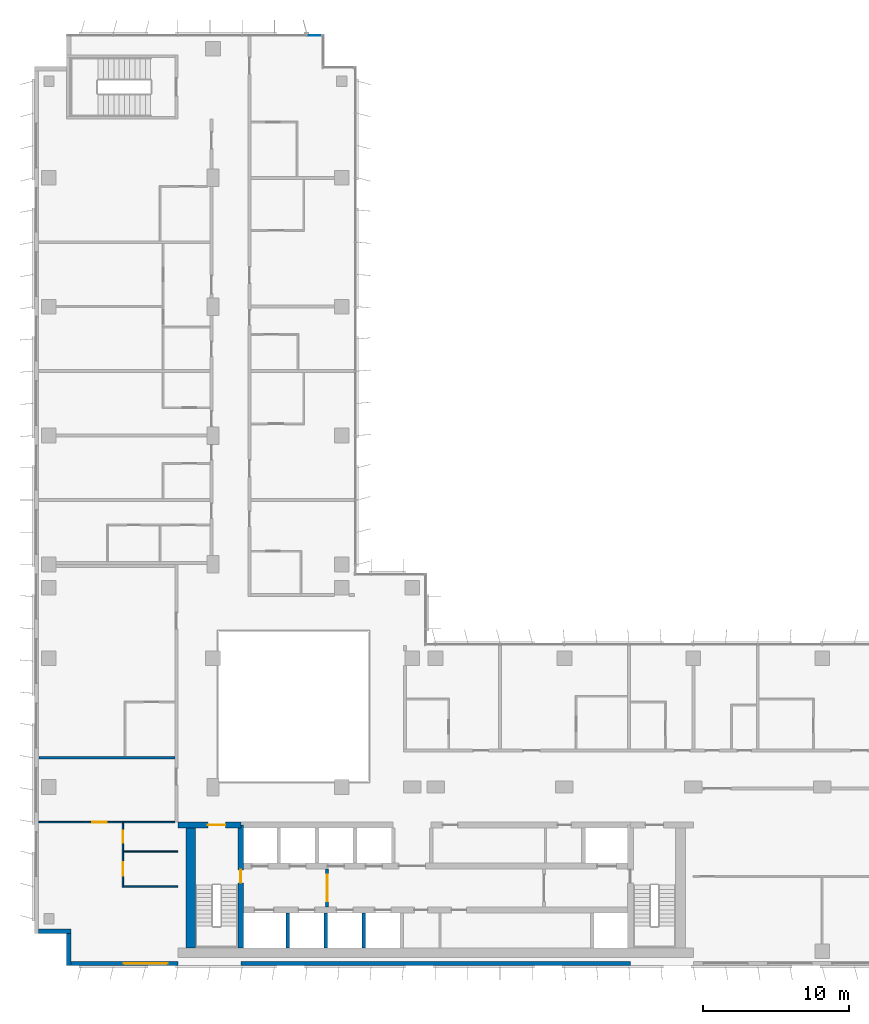
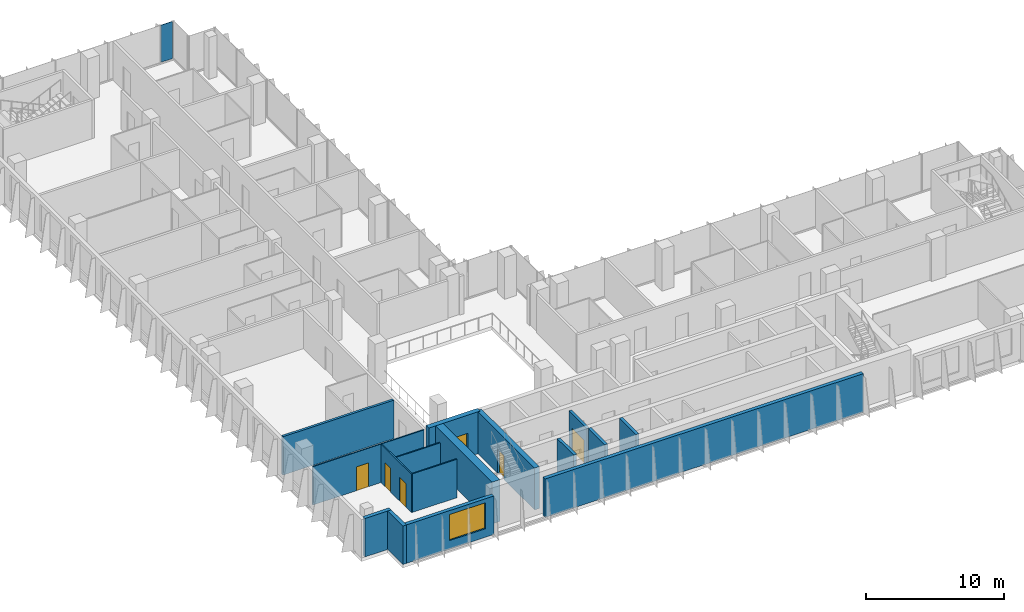
# One storey, part 12 of 21: 16 walls, 6 doors, 1 plate, 1 window, 7 openings, 1 element without a shape of its own.
"""IFC4 building model written with IfcOpenShell, lengths in metres."""

from ifc_helpers import new_model, si_unit, direction, frame, frame_2d, origin, origin_2d, place, context, subcontext, project, spatial, rectangle, extrude, source, transform, mapped, material, layer, layer_set, type_object, element, fill, aggregate, save


model = new_model("IFC4")

# Units and contexts
model_context = context("Model", 3, precision=1e-05, world=origin(), true_north=direction((0.0, 1.0)))
body_context = subcontext(model_context, "Body", "Model", "MODEL_VIEW")
ifc_project = project(units=[si_unit("LENGTHUNIT", "METRE"), si_unit("AREAUNIT", "SQUARE_METRE"), si_unit("VOLUMEUNIT", "CUBIC_METRE"), si_unit("PLANEANGLEUNIT", "RADIAN"), si_unit("MASSUNIT", "GRAM", prefix="KILO")], contexts=[model_context])

# Site, building, storey
site_placement = place(None, origin())
site = spatial("IfcSite", under=ifc_project, at=site_placement, CompositionType="ELEMENT")
building_placement = place(site_placement, origin())
building = spatial("IfcBuilding", under=site, at=building_placement, Name="Kemantara Hotel Tower", CompositionType="ELEMENT")
storey_placement = place(building_placement, frame((0.0, 0.0, 179.0)))
storey = spatial("IfcBuildingStorey", under=building, at=storey_placement, Name="L44", CompositionType="ELEMENT", Elevation=179.0)

# Curtain wall, plate
ifc_material_1 = material(Name="Low-E tinted double insulated glass 36 mm", Category="glass")
curtain_wall_type = type_object("IfcCurtainWallType", Name="TOWER CURTAIN WALL, FRONT FACES", PredefinedType="USERDEFINED", material=ifc_material_1)
curtain_wall_placement = place(storey_placement, origin())
curtain_wall = element("IfcCurtainWall", 1, at=curtain_wall_placement, inside=storey, type_object=curtain_wall_type, Name="CW4 L44 T3-R02-1", ObjectType="TOWER CURTAIN WALL, FRONT FACES", PredefinedType="USERDEFINED")
ifc_layer_1 = layer(ifc_material_1, 0.035888671875)
ifc_layer_set_1 = layer_set([ifc_layer_1], Name="Low-E tinted double insulated glass 36 mm")
plate_type = type_object("IfcPlateType", Name="TOWER CURTAIN WALL, FRONT FACES PANEL", PredefinedType="CURTAIN_PANEL", material=ifc_layer_set_1)
shared_shape = source(origin(), body_context, "Body", "SweptSolid", [
    extrude(rectangle(XDim=0.9599609375, YDim=0.035888671875, at=origin_2d()), origin(), (0.0, 0.0, 1.0), 3.280029296875),
])
plate_placement = place(storey_placement, frame((19.110107421875, 63.52490234375, 0.1201171875), z_axis=(0.0, 0.0, 1.0), x_axis=(-1.0, 0.0, 0.0)))
plate = element("IfcPlate", 2, at=plate_placement, type_object=plate_type, Name="CW4 glass panel T3-R02-1.1", PredefinedType="CURTAIN_PANEL", context=body_context, shape_type="MappedRepresentation", body=[
    mapped(shared_shape, transform((0.0, 0.0, 0.0))),
])
aggregate(curtain_wall, [plate])

# Walls
ifc_material_2 = material(Name="Bronze anodised aluminium cladding on insulated steel stud wall", Category="steel")
ifc_layer_2 = layer(ifc_material_2, 0.300048828125)
ifc_layer_set_2 = layer_set([ifc_layer_2], Name="Bronze anodised aluminium cladding on insulated steel stud wall")
wall_type_1 = type_object("IfcWallType", Name="BRONZE METAL-CLAD EXTERNAL WALL 300", PredefinedType="STANDARD", material=ifc_layer_set_2)
for number, where, z_axis, x_axis, name in (
    (3, (0.300048828125, 2.35009765625, 0.0), (0.0, 0.0, 1.0), (1.0, 0.0, 0.0), "EXTERNAL WALL L44 T3-R06"),
    (4, (2.35009765625, 2.199951171875, 0.0), (0.0, 0.0, 1.0), (0.0, -1.0, 0.0), "EXTERNAL WALL L44 T3-R07"),
):
    element("IfcWall", number, at=place(storey_placement, frame(where, z_axis=z_axis, x_axis=x_axis)), inside=storey, type_object=wall_type_1, Name=name, PredefinedType="STANDARD", context=body_context, shape_type="SweptSolid", body=[
        extrude(rectangle(XDim=2.199951171875, YDim=0.300048828125, at=frame_2d((1.10009765625, 0.0))), origin(), (0.0, 0.0, 1.0), 3.39990234375),
    ])

# Wall, opening, window
wall_1_placement = place(storey_placement, frame((2.5, 0.14990234375, 0.0), z_axis=(0.0, 0.0, 1.0), x_axis=(1.0, 0.0, 0.0)))
wall_1 = element("IfcWall", 5, at=wall_1_placement, inside=storey, type_object=wall_type_1, Name="EXTERNAL WALL L44 T3-R08", PredefinedType="STANDARD", context=body_context, shape_type="SweptSolid", body=[
    extrude(rectangle(XDim=7.300048828125, YDim=0.300048828125, at=frame_2d((3.64990234375, 0.0))), origin(), (0.0, 0.0, 1.0), 3.39990234375),
])
opening_1_placement = place(wall_1_placement, frame((3.60009765625, 0.0, 0.75)))
opening_1 = element("IfcOpeningElement", 6, at=opening_1_placement, cuts=wall_1, Name="Opening W1", PredefinedType="OPENING", context=body_context, shape_type="SweptSolid", body=[
    extrude(rectangle(XDim=3.0, YDim=2.300048828125, at=frame_2d((1.5, 1.14990234375))), frame((0.0, 0.159912109375, 0.0), z_axis=(0.0, -1.0, 0.0), x_axis=(1.0, 0.0, 0.0)), (0.0, 0.0, 1.0), 0.320068359375),
])
ifc_material_3 = material(Name="Low-E tinted double insulated glass in bronze anodised aluminium frame", Category="aluminium")
window_type = type_object("IfcWindowType", Name="CHICAGO WINDOW, TRIPLE PANEL 3000x2300", PartitioningType="TRIPLE_PANEL_VERTICAL", PredefinedType="WINDOW", material=ifc_material_3)
window_placement = place(opening_1_placement, origin())
window = element("IfcWindow", 7, at=window_placement, inside=storey, type_object=window_type, Name="CHICAGO WINDOW L44 T3-R08-54", OverallHeight=2.300048828125, OverallWidth=3.0, PartitioningType="SINGLE_PANEL", PredefinedType="WINDOW", context=body_context, shape_type="SweptSolid", body=[
    extrude(rectangle(XDim=3.0, YDim=2.300048828125, at=frame_2d((1.5, 1.14990234375))), frame((0.0, 0.030029296875, 0.0), z_axis=(0.0, -1.0, 0.0), x_axis=(1.0, 0.0, 0.0)), (0.0, 0.0, 1.0), 0.06005859375),
])
fill(opening_1, window)

# Walls
wall_2_placement = place(storey_placement, frame((14.10009765625, 0.14990234375, 0.0), z_axis=(0.0, 0.0, 1.0), x_axis=(1.0, 0.0, 0.0)))
element("IfcWall", 8, at=wall_2_placement, inside=storey, type_object=wall_type_1, Name="EXTERNAL WALL L44 T3-R08-2", PredefinedType="STANDARD", context=body_context, shape_type="SweptSolid", body=[
    extrude(rectangle(XDim=26.599853515625, YDim=0.300048828125, at=frame_2d((13.2998046875, 0.0))), origin(), (0.0, 0.0, 1.0), 3.39990234375),
])
ifc_material_4 = material(Name="Concrete fc 60 MPa", Category="concrete")
ifc_layer_3 = layer(ifc_material_4, 0.25)
ifc_layer_set_3 = layer_set([ifc_layer_3], Name="Concrete fc 60 MPa")
wall_type_2 = type_object("IfcWallType", Name="CORE WALL 250 FC60", PredefinedType="SHEAR", material=ifc_layer_set_3)
for number, where, z_axis, x_axis, name in (
    (9, (17.300048828125, 1.199951171875, 0.0), (0.0, 0.0, 1.0), (0.0, 1.0, 0.0), "CORE WALL CW-DS17.3"),
    (10, (19.89990234375, 1.199951171875, 0.0), (0.0, 0.0, 1.0), (0.0, 1.0, 0.0), "CORE WALL CW-DS19.9"),
    (11, (22.5, 1.199951171875, 0.0), (0.0, 0.0, 1.0), (0.0, 1.0, 0.0), "CORE WALL CW-DS22.5"),
):
    element("IfcWall", number, at=place(storey_placement, frame(where, z_axis=z_axis, x_axis=x_axis)), inside=storey, type_object=wall_type_2, Name=name, PredefinedType="SHEAR", context=body_context, shape_type="SweptSolid", body=[
        extrude(rectangle(XDim=2.400146484375, YDim=0.25, at=frame_2d((1.2001953125, 0.0))), origin(), (0.0, 0.0, 1.0), 3.699951171875),
    ])

# Wall, opening, door
ifc_layer_4 = layer(ifc_material_4, 0.39990234375)
ifc_layer_set_4 = layer_set([ifc_layer_4], Name="Concrete fc 60 MPa")
wall_type_3 = type_object("IfcWallType", Name="CORE WALL 400 FC60", PredefinedType="SHEAR", material=ifc_layer_set_4)
wall_3_placement = place(storey_placement, frame((9.800048828125, 9.60009765625, 0.0), z_axis=(0.0, 0.0, 1.0), x_axis=(1.0, 0.0, 0.0)))
wall_3 = element("IfcWall", 12, at=wall_3_placement, inside=storey, type_object=wall_type_3, Name="CORE WALL CW-N1", PredefinedType="SHEAR", context=body_context, shape_type="SweptSolid", body=[
    extrude(rectangle(XDim=4.300048828125, YDim=0.39990234375, at=frame_2d((2.14990234375, 0.0))), origin(), (0.0, 0.0, 1.0), 3.699951171875),
])
opening_2_placement = place(wall_3_placement, frame((2.050048828125, 0.0, 0.0)))
opening_2 = element("IfcOpeningElement", 13, at=opening_2_placement, cuts=wall_3, Name="Opening C27-ST1-C", PredefinedType="OPENING", context=body_context, shape_type="SweptSolid", body=[
    extrude(rectangle(XDim=1.199951171875, YDim=2.10009765625, at=frame_2d((0.60009765625, 1.050048828125))), frame((0.0, 0.2099609375, 0.0), z_axis=(0.0, -1.0, 0.0), x_axis=(1.0, 0.0, 0.0)), (0.0, 0.0, 1.0), 0.419921875),
])
ifc_material_5 = material(Name="Steel fire door", Category="steel")
door_type_1 = type_object("IfcDoorType", Name="Fire door FD90 1200 x 2100", OperationType="NOTDEFINED", PredefinedType="DOOR", material=ifc_material_5)
door_1_placement = place(opening_2_placement, frame((1.199951171875, 0.0, 0.0), z_axis=(0.0, 0.0, 1.0), x_axis=(-1.0, 0.0, 0.0)))
door_1 = element("IfcDoor", 14, at=door_1_placement, inside=storey, type_object=door_type_1, Name="Stair ST1 door to corridor", OperationType="SINGLE_SWING_LEFT", OverallHeight=2.10009765625, OverallWidth=1.199951171875, PredefinedType="DOOR", context=body_context, shape_type="SweptSolid", body=[
    extrude(rectangle(XDim=1.199951171875, YDim=2.10009765625, at=frame_2d((0.60009765625, 1.050048828125))), frame((0.0, 0.02490234375, 0.0), z_axis=(0.0, -1.0, 0.0), x_axis=(1.0, 0.0, 0.0)), (0.0, 0.0, 1.0), 0.050048828125),
])
fill(opening_2, door_1)

wall_4_placement = place(storey_placement, frame((14.10009765625, 1.199951171875, 0.0), z_axis=(0.0, 0.0, 1.0), x_axis=(0.0, 1.0, 0.0)))
wall_4 = element("IfcWall", 15, at=wall_4_placement, inside=storey, type_object=wall_type_3, Name="CORE WALL CW-ST1E", PredefinedType="SHEAR", context=body_context, shape_type="SweptSolid", body=[
    extrude(rectangle(XDim=8.400146484375, YDim=0.39990234375, at=frame_2d((4.2001953125, 0.0))), origin(), (0.0, 0.0, 1.0), 3.699951171875),
])
opening_3_placement = place(wall_4_placement, frame((4.449951171875, 0.0, 0.0)))
opening_3 = element("IfcOpeningElement", 16, at=opening_3_placement, cuts=wall_4, Name="Opening C27-ST1-F", PredefinedType="OPENING", context=body_context, shape_type="SweptSolid", body=[
    extrude(rectangle(XDim=0.89990234375, YDim=2.10009765625, at=frame_2d((0.449951171875, 1.050048828125))), frame((0.0, 0.2099609375, 0.0), z_axis=(0.0, -1.0, 0.0), x_axis=(1.0, 0.0, 0.0)), (0.0, 0.0, 1.0), 0.419921875),
])
door_type_2 = type_object("IfcDoorType", Name="Fire door FD90 900 x 2100", OperationType="NOTDEFINED", PredefinedType="DOOR", material=ifc_material_5)
door_2_placement = place(opening_3_placement, origin())
door_2 = element("IfcDoor", 17, at=door_2_placement, inside=storey, type_object=door_type_2, Name="Stair ST1 door to firefighting lobby", OperationType="SINGLE_SWING_RIGHT", OverallHeight=2.10009765625, OverallWidth=0.89990234375, PredefinedType="DOOR", context=body_context, shape_type="SweptSolid", body=[
    extrude(rectangle(XDim=0.89990234375, YDim=2.10009765625, at=frame_2d((0.449951171875, 1.050048828125))), frame((0.0, 0.02490234375, 0.0), z_axis=(0.0, -1.0, 0.0), x_axis=(1.0, 0.0, 0.0)), (0.0, 0.0, 1.0), 0.050048828125),
])
fill(opening_3, door_2)

# Walls
ifc_layer_5 = layer(ifc_material_4, 0.64990234375)
ifc_layer_set_5 = layer_set([ifc_layer_5], Name="Concrete fc 60 MPa")
wall_type_4 = type_object("IfcWallType", Name="CORE WALL 650 FC60", PredefinedType="SHEAR", material=ifc_layer_set_5)
wall_5_placement = place(storey_placement, frame((10.675048828125, 1.199951171875, 0.0), z_axis=(0.0, 0.0, 1.0), x_axis=(0.0, 1.0, 0.0)))
element("IfcWall", 18, at=wall_5_placement, inside=storey, type_object=wall_type_4, Name="CORE WALL CW-W", PredefinedType="SHEAR", context=body_context, shape_type="SweptSolid", body=[
    extrude(rectangle(XDim=8.60009765625, YDim=0.64990234375, at=frame_2d((4.300048828125, 0.0))), origin(), (0.0, 0.0, 1.0), 3.699951171875),
])
ifc_material_6 = material(Name="Gypsum board partition, steel studs and mineral wool, 200 mm", Category="steel")
ifc_layer_6 = layer(ifc_material_6, 0.199951171875)
ifc_layer_set_6 = layer_set([ifc_layer_6], Name="Gypsum board partition, steel studs and mineral wool, 200 mm")
wall_type_5 = type_object("IfcWallType", Name="GUEST ROOM PARTY WALL 200", PredefinedType="PARTITIONING", material=ifc_layer_set_6)
wall_6_placement = place(storey_placement, frame((0.31005859375, 14.199951171875, 0.0), z_axis=(0.0, 0.0, 1.0), x_axis=(1.0, 0.0, 0.0)))
element("IfcWall", 19, at=wall_6_placement, inside=storey, type_object=wall_type_5, Name="GUEST ROOM PARTY WALL 200 012", PredefinedType="PARTITIONING", context=body_context, shape_type="SweptSolid", body=[
    extrude(rectangle(XDim=9.2900390625, YDim=0.199951171875, at=frame_2d((4.64501953125, 0.0))), origin(), (0.0, 0.0, 1.0), 3.39990234375),
])

# Wall, opening, door
ifc_material_7 = material(Name="Gypsum board shaft wall")
ifc_layer_7 = layer(ifc_material_7, 0.199951171875)
ifc_layer_set_7 = layer_set([ifc_layer_7], Name="Gypsum board shaft wall")
wall_type_6 = type_object("IfcWallType", Name="Gypsum board shaft wall 200 mm", PredefinedType="PARTITIONING", material=ifc_layer_set_7)
wall_7_placement = place(storey_placement, frame((20.0, 4.0, 0.0), z_axis=(0.0, 0.0, 1.0), x_axis=(0.0, 1.0, 0.0)))
wall_7 = element("IfcWall", 20, at=wall_7_placement, inside=storey, type_object=wall_type_6, Name="Firefighting lobby partition west", PredefinedType="PARTITIONING", context=body_context, shape_type="SweptSolid", body=[
    extrude(rectangle(XDim=2.60009765625, YDim=0.199951171875, at=frame_2d((1.300048828125, 0.0))), origin(), (0.0, 0.0, 1.0), 3.39990234375),
])
opening_4_placement = place(wall_7_placement, frame((0.39990234375, 0.0, 0.0)))
opening_4 = element("IfcOpeningElement", 21, at=opening_4_placement, cuts=wall_7, Name="Opening C27-FFW", PredefinedType="OPENING", context=body_context, shape_type="SweptSolid", body=[
    extrude(rectangle(XDim=1.800048828125, YDim=2.10009765625, at=frame_2d((0.89990234375, 1.050048828125))), frame((0.0, 0.10986328125, 0.0), z_axis=(0.0, -1.0, 0.0), x_axis=(1.0, 0.0, 0.0)), (0.0, 0.0, 1.0), 0.219970703125),
])
door_type_3 = type_object("IfcDoorType", Name="Fire door pair FD60 1800 x 2100", OperationType="DOUBLE_DOOR_SINGLE_SWING", PredefinedType="DOOR", material=ifc_material_5)
door_3_placement = place(opening_4_placement, origin())
door_3 = element("IfcDoor", 22, at=door_3_placement, inside=storey, type_object=door_type_3, Name="Firefighting lobby door west", OperationType="DOUBLE_DOOR_SINGLE_SWING", OverallHeight=2.10009765625, OverallWidth=1.800048828125, PredefinedType="DOOR", context=body_context, shape_type="SweptSolid", body=[
    extrude(rectangle(XDim=1.800048828125, YDim=2.10009765625, at=frame_2d((0.89990234375, 1.050048828125))), frame((0.0, 0.02490234375, 0.0), z_axis=(0.0, -1.0, 0.0), x_axis=(1.0, 0.0, 0.0)), (0.0, 0.0, 1.0), 0.050048828125),
])
fill(opening_4, door_3)

# Wall, openings, doors
ifc_material_8 = material(Name="Gypsum board partition on steel studs, 100 mm", Category="steel")
ifc_layer_8 = layer(ifc_material_8, 0.10009765625)
ifc_layer_set_8 = layer_set([ifc_layer_8], Name="Gypsum board partition on steel studs, 100 mm")
wall_type_7 = type_object("IfcWallType", Name="ROOM PARTITION 100", PredefinedType="PARTITIONING", material=ifc_layer_set_8)
wall_8_placement = place(storey_placement, frame((6.050048828125, 9.75, 0.0), z_axis=(0.0, 0.0, 1.0), x_axis=(0.0, -1.0, 0.0)))
wall_8 = element("IfcWall", 23, at=wall_8_placement, inside=storey, type_object=wall_type_7, Name="ROOM PARTITION 100 043", PredefinedType="PARTITIONING", context=body_context, shape_type="SweptSolid", body=[
    extrude(rectangle(XDim=4.39990234375, YDim=0.10009765625, at=frame_2d((2.199951171875, 0.0))), origin(), (0.0, 0.0, 1.0), 3.39990234375),
])
opening_5_placement = place(wall_8_placement, frame((2.699951171875, 0.0, 0.0)))
opening_5 = element("IfcOpeningElement", 24, at=opening_5_placement, cuts=wall_8, Name="Opening F20-016", PredefinedType="OPENING", context=body_context, shape_type="SweptSolid", body=[
    extrude(rectangle(XDim=0.89990234375, YDim=2.10009765625, at=frame_2d((0.449951171875, 1.050048828125))), frame((0.0, 0.06005859375, 0.0), z_axis=(0.0, -1.0, 0.0), x_axis=(1.0, 0.0, 0.0)), (0.0, 0.0, 1.0), 0.1201171875),
])
opening_6_placement = place(wall_8_placement, frame((0.550048828125, 0.0, 0.0)))
opening_6 = element("IfcOpeningElement", 25, at=opening_6_placement, cuts=wall_8, Name="Opening F20-017", PredefinedType="OPENING", context=body_context, shape_type="SweptSolid", body=[
    extrude(rectangle(XDim=0.800048828125, YDim=2.10009765625, at=frame_2d((0.39990234375, 1.050048828125))), frame((0.0, 0.06005859375, 0.0), z_axis=(0.0, -1.0, 0.0), x_axis=(1.0, 0.0, 0.0)), (0.0, 0.0, 1.0), 0.1201171875),
])
ifc_material_9 = material(Name="Hardwood veneer door leaf with steel frame", Category="steel")
door_type_4 = type_object("IfcDoorType", Name="BATHROOM DOOR 900 X 2100", OperationType="NOTDEFINED", PredefinedType="DOOR", material=ifc_material_9)
door_4_placement = place(opening_5_placement, origin())
door_4 = element("IfcDoor", 26, at=door_4_placement, inside=storey, type_object=door_type_4, Name="BATHROOM DOOR F20-016", OperationType="SINGLE_SWING_LEFT", OverallHeight=2.10009765625, OverallWidth=0.89990234375, PredefinedType="DOOR", context=body_context, shape_type="SweptSolid", body=[
    extrude(rectangle(XDim=0.89990234375, YDim=2.10009765625, at=frame_2d((0.449951171875, 1.050048828125))), frame((0.0, 0.02490234375, 0.0), z_axis=(0.0, -1.0, 0.0), x_axis=(1.0, 0.0, 0.0)), (0.0, 0.0, 1.0), 0.050048828125),
])
fill(opening_5, door_4)
door_type_5 = type_object("IfcDoorType", Name="WARDROBE DOOR 800 X 2100", OperationType="NOTDEFINED", PredefinedType="DOOR", material=ifc_material_9)
door_5_placement = place(opening_6_placement, origin())
door_5 = element("IfcDoor", 27, at=door_5_placement, inside=storey, type_object=door_type_5, Name="WARDROBE DOOR F20-017", OperationType="SINGLE_SWING_LEFT", OverallHeight=2.10009765625, OverallWidth=0.800048828125, PredefinedType="DOOR", context=body_context, shape_type="SweptSolid", body=[
    extrude(rectangle(XDim=0.800048828125, YDim=2.10009765625, at=frame_2d((0.39990234375, 1.050048828125))), frame((0.0, 0.02490234375, 0.0), z_axis=(0.0, -1.0, 0.0), x_axis=(1.0, 0.0, 0.0)), (0.0, 0.0, 1.0), 0.050048828125),
])
fill(opening_6, door_5)

# Wall, opening, door
wall_9_placement = place(storey_placement, frame((9.60009765625, 9.800048828125, 0.0), z_axis=(0.0, 0.0, 1.0), x_axis=(-1.0, 0.0, 0.0)))
wall_9 = element("IfcWall", 28, at=wall_9_placement, inside=storey, type_object=wall_type_7, Name="ROOM PARTITION 100 044", PredefinedType="PARTITIONING", context=body_context, shape_type="SweptSolid", body=[
    extrude(rectangle(XDim=9.2900390625, YDim=0.10009765625, at=frame_2d((4.64501953125, 0.0))), origin(), (0.0, 0.0, 1.0), 3.39990234375),
])
opening_7_placement = place(wall_9_placement, frame((4.64990234375, 0.0, 0.0)))
opening_7 = element("IfcOpeningElement", 29, at=opening_7_placement, cuts=wall_9, Name="Opening F20-015", PredefinedType="OPENING", context=body_context, shape_type="SweptSolid", body=[
    extrude(rectangle(XDim=1.0, YDim=2.10009765625, at=frame_2d((0.5, 1.050048828125))), frame((0.0, 0.06005859375, 0.0), z_axis=(0.0, -1.0, 0.0), x_axis=(1.0, 0.0, 0.0)), (0.0, 0.0, 1.0), 0.1201171875),
])
door_type_6 = type_object("IfcDoorType", Name="INTERNAL DOOR 1000 X 2100", OperationType="NOTDEFINED", PredefinedType="DOOR", material=ifc_material_9)
door_6_placement = place(opening_7_placement, origin())
door_6 = element("IfcDoor", 30, at=door_6_placement, inside=storey, type_object=door_type_6, Name="INTERNAL DOOR F20-015", OperationType="SINGLE_SWING_LEFT", OverallHeight=2.10009765625, OverallWidth=1.0, PredefinedType="DOOR", context=body_context, shape_type="SweptSolid", body=[
    extrude(rectangle(XDim=1.0, YDim=2.10009765625, at=frame_2d((0.5, 1.050048828125))), frame((0.0, 0.02490234375, 0.0), z_axis=(0.0, -1.0, 0.0), x_axis=(1.0, 0.0, 0.0)), (0.0, 0.0, 1.0), 0.050048828125),
])
fill(opening_7, door_6)

# Walls
for number, where, z_axis, x_axis, name in (
    (31, (6.10009765625, 5.39990234375, 0.0), (0.0, 0.0, 1.0), (1.0, 0.0, 0.0), "ROOM PARTITION 100 045"),
    (32, (6.10009765625, 7.800048828125, 0.0), (0.0, 0.0, 1.0), (1.0, 0.0, 0.0), "ROOM PARTITION 100 046"),
):
    element("IfcWall", number, at=place(storey_placement, frame(where, z_axis=z_axis, x_axis=x_axis)), inside=storey, type_object=wall_type_7, Name=name, PredefinedType="PARTITIONING", context=body_context, shape_type="SweptSolid", body=[
        extrude(rectangle(XDim=3.69970703125, YDim=0.10009765625, at=frame_2d((1.849853515625, 0.0))), origin(), (0.0, 0.0, 1.0), 3.39990234375),
    ])

save(model, "model.ifc")
